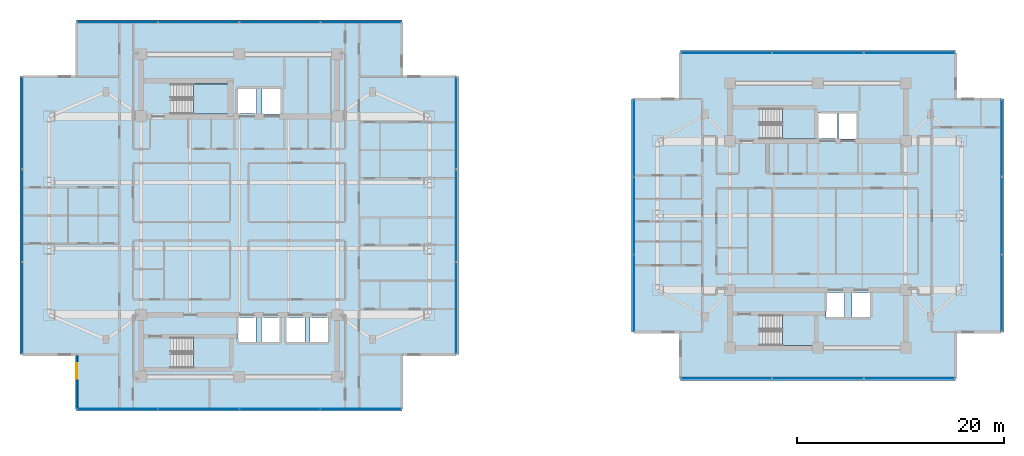
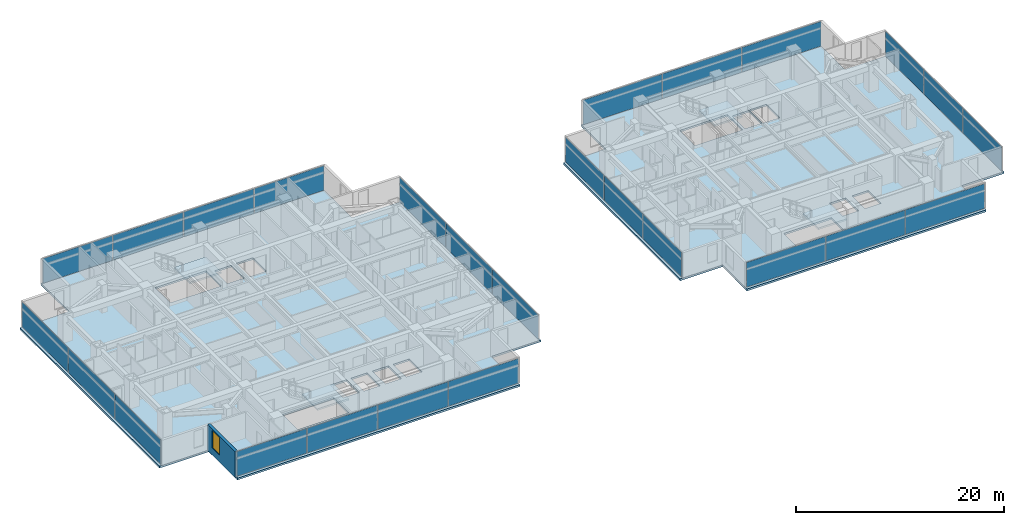
# One storey, part 12 of 25: 26 plates, 6 slabs, 1 wall, 1 window, 1 opening, 12 elements without a shape of their own.
"""IFC4 building model written with IfcOpenShell, lengths in metres."""

from ifc_helpers import new_model, si_unit, direction, frame, frame_2d, origin, origin_2d, place, context, subcontext, project, spatial, polyline, rectangle, outline, extrude, material, layer, layer_set, type_object, element, fill, aggregate, save


model = new_model("IFC4")

# Units and contexts
model_context = context("Model", 3, precision=1e-05, world=origin(), true_north=direction((0.0, 1.0)))
body_context = subcontext(model_context, "Body", "Model", "MODEL_VIEW")
ifc_project = project(units=[si_unit("LENGTHUNIT", "METRE"), si_unit("AREAUNIT", "SQUARE_METRE"), si_unit("VOLUMEUNIT", "CUBIC_METRE"), si_unit("PLANEANGLEUNIT", "RADIAN"), si_unit("MASSUNIT", "GRAM", prefix="KILO")], contexts=[model_context])

# Site, building, storey
site_placement = place(None, origin())
site = spatial("IfcSite", under=ifc_project, at=site_placement, CompositionType="ELEMENT")
building_placement = place(site_placement, origin())
building = spatial("IfcBuilding", under=site, at=building_placement, Name="Mirazonda Arch Towers", CompositionType="ELEMENT")
storey_placement = place(building_placement, frame((0.0, 0.0, 131.300048828125)))
storey = spatial("IfcBuildingStorey", under=building, at=storey_placement, Name="L37", CompositionType="ELEMENT", Elevation=131.300048828125)

# Curtain wall, plates
ifc_material_1 = material(Name="Anodised Aluminium and Low-E Glass", Category="aluminium")
curtain_wall_type = type_object("IfcCurtainWallType", Name="CW-HTL-UNIT", PredefinedType="NOTDEFINED", material=ifc_material_1)
curtain_wall_1_placement = place(storey_placement, origin())
curtain_wall_1 = element("IfcCurtainWall", 1, at=curtain_wall_1_placement, inside=storey, type_object=curtain_wall_type, Name="L37 T1 S Facade CW-L37-T1-S", PredefinedType="NOTDEFINED")
ifc_material_2 = material(Name="Insulated Low-E Solar Glass", Category="glass")
ifc_layer_1 = layer(ifc_material_2, 0.035888671875, Name="PAN-CW-HTL-UNIT")
ifc_layer_set_1 = layer_set([ifc_layer_1], Name="Insulated Low-E Solar Glass")
plate_type = type_object("IfcPlateType", Name="PAN-CW-HTL-UNIT", PredefinedType="CURTAIN_PANEL", material=ifc_layer_set_1)
plate_1_placement = place(storey_placement, frame((32.27880859375, 9.2880859375, 0.0751953125), z_axis=(0.0, 0.0, 1.0), x_axis=(-1.0, 0.0, 0.0)))
plate_1 = element("IfcPlate", 2, at=plate_1_placement, type_object=plate_type, Name="CW-112 panel 1.1", PredefinedType="CURTAIN_PANEL", context=body_context, shape_type="SweptSolid", body=[
    extrude(rectangle(XDim=7.75244140625, YDim=0.035888671875, at=origin_2d()), origin(), (0.0, 0.0, 1.0), 2.909912109375),
])
plate_2_placement = place(storey_placement, frame((24.4326171875, 9.2880859375, 0.0751953125), z_axis=(0.0, 0.0, 1.0), x_axis=(-1.0, 0.0, 0.0)))
plate_2 = element("IfcPlate", 3, at=plate_2_placement, type_object=plate_type, Name="CW-112 panel 2.1", PredefinedType="CURTAIN_PANEL", context=body_context, shape_type="SweptSolid", body=[
    extrude(rectangle(XDim=7.7900390625, YDim=0.035888671875, at=origin_2d()), origin(), (0.0, 0.0, 1.0), 2.909912109375),
])
plate_3_placement = place(storey_placement, frame((16.5673828125, 9.2880859375, 0.0751953125), z_axis=(0.0, 0.0, 1.0), x_axis=(-1.0, 0.0, 0.0)))
plate_3 = element("IfcPlate", 4, at=plate_3_placement, type_object=plate_type, Name="CW-112 panel 3.1", PredefinedType="CURTAIN_PANEL", context=body_context, shape_type="SweptSolid", body=[
    extrude(rectangle(XDim=7.7900390625, YDim=0.035888671875, at=origin_2d()), origin(), (0.0, 0.0, 1.0), 2.909912109375),
])
plate_4_placement = place(storey_placement, frame((8.72119140625, 9.2880859375, 0.0751953125), z_axis=(0.0, 0.0, 1.0), x_axis=(-1.0, 0.0, 0.0)))
plate_4 = element("IfcPlate", 5, at=plate_4_placement, type_object=plate_type, Name="CW-112 panel 4.1", PredefinedType="CURTAIN_PANEL", context=body_context, shape_type="SweptSolid", body=[
    extrude(rectangle(XDim=7.75244140625, YDim=0.035888671875, at=origin_2d()), origin(), (0.0, 0.0, 1.0), 2.909912109375),
])
aggregate(curtain_wall_1, [plate_1, plate_2, plate_3, plate_4])

curtain_wall_2_placement = place(storey_placement, origin())
curtain_wall_2 = element("IfcCurtainWall", 6, at=curtain_wall_2_placement, inside=storey, type_object=curtain_wall_type, Name="L37 T1 E Facade CW-L37-T1-E", PredefinedType="NOTDEFINED")
plate_5_placement = place(storey_placement, frame((41.5, 19.057373046875, 0.0751953125), z_axis=(0.0, 0.0, 1.0), x_axis=(0.0, 1.0, 0.0)))
plate_5 = element("IfcPlate", 7, at=plate_5_placement, type_object=plate_type, Name="CW-112 panel 1.1", PredefinedType="CURTAIN_PANEL", context=body_context, shape_type="SweptSolid", body=[
    extrude(rectangle(XDim=8.848876953125, YDim=0.035888671875, at=origin_2d()), origin(), (0.0, 0.0, 1.0), 2.909912109375),
])
plate_6_placement = place(storey_placement, frame((41.5, 28.0, 0.0751953125), z_axis=(0.0, 0.0, 1.0), x_axis=(0.0, 1.0, 0.0)))
plate_6 = element("IfcPlate", 8, at=plate_6_placement, type_object=plate_type, Name="CW-112 panel 2.1", PredefinedType="CURTAIN_PANEL", context=body_context, shape_type="SweptSolid", body=[
    extrude(rectangle(XDim=8.88623046875, YDim=0.035888671875, at=origin_2d()), origin(), (0.0, 0.0, 1.0), 2.909912109375),
])
plate_7_placement = place(storey_placement, frame((41.5, 36.942626953125, 0.0751953125), z_axis=(0.0, 0.0, 1.0), x_axis=(0.0, 1.0, 0.0)))
plate_7 = element("IfcPlate", 9, at=plate_7_placement, type_object=plate_type, Name="CW-112 panel 3.1", PredefinedType="CURTAIN_PANEL", context=body_context, shape_type="SweptSolid", body=[
    extrude(rectangle(XDim=8.848876953125, YDim=0.035888671875, at=origin_2d()), origin(), (0.0, 0.0, 1.0), 2.909912109375),
])
aggregate(curtain_wall_2, [plate_5, plate_6, plate_7])

curtain_wall_3_placement = place(storey_placement, origin())
curtain_wall_3 = element("IfcCurtainWall", 10, at=curtain_wall_3_placement, inside=storey, type_object=curtain_wall_type, Name="L37 T1 N Facade CW-L37-T1-N", PredefinedType="NOTDEFINED")
plate_8_placement = place(storey_placement, frame((8.72119140625, 46.7119140625, 0.0751953125), z_axis=(0.0, 0.0, 1.0), x_axis=(1.0, 0.0, 0.0)))
plate_8 = element("IfcPlate", 11, at=plate_8_placement, type_object=plate_type, Name="CW-112 panel 1.1", PredefinedType="CURTAIN_PANEL", context=body_context, shape_type="SweptSolid", body=[
    extrude(rectangle(XDim=7.75244140625, YDim=0.035888671875, at=origin_2d()), origin(), (0.0, 0.0, 1.0), 2.909912109375),
])
plate_9_placement = place(storey_placement, frame((16.5673828125, 46.7119140625, 0.0751953125), z_axis=(0.0, 0.0, 1.0), x_axis=(1.0, 0.0, 0.0)))
plate_9 = element("IfcPlate", 12, at=plate_9_placement, type_object=plate_type, Name="CW-112 panel 2.1", PredefinedType="CURTAIN_PANEL", context=body_context, shape_type="SweptSolid", body=[
    extrude(rectangle(XDim=7.7900390625, YDim=0.035888671875, at=origin_2d()), origin(), (0.0, 0.0, 1.0), 2.909912109375),
])
plate_10_placement = place(storey_placement, frame((24.4326171875, 46.7119140625, 0.0751953125), z_axis=(0.0, 0.0, 1.0), x_axis=(1.0, 0.0, 0.0)))
plate_10 = element("IfcPlate", 13, at=plate_10_placement, type_object=plate_type, Name="CW-112 panel 3.1", PredefinedType="CURTAIN_PANEL", context=body_context, shape_type="SweptSolid", body=[
    extrude(rectangle(XDim=7.7900390625, YDim=0.035888671875, at=origin_2d()), origin(), (0.0, 0.0, 1.0), 2.909912109375),
])
plate_11_placement = place(storey_placement, frame((32.27880859375, 46.7119140625, 0.0751953125), z_axis=(0.0, 0.0, 1.0), x_axis=(1.0, 0.0, 0.0)))
plate_11 = element("IfcPlate", 14, at=plate_11_placement, type_object=plate_type, Name="CW-112 panel 4.1", PredefinedType="CURTAIN_PANEL", context=body_context, shape_type="SweptSolid", body=[
    extrude(rectangle(XDim=7.75244140625, YDim=0.035888671875, at=origin_2d()), origin(), (0.0, 0.0, 1.0), 2.909912109375),
])
aggregate(curtain_wall_3, [plate_8, plate_9, plate_10, plate_11])

curtain_wall_4_placement = place(storey_placement, origin())
curtain_wall_4 = element("IfcCurtainWall", 15, at=curtain_wall_4_placement, inside=storey, type_object=curtain_wall_type, Name="L37 T1 W Facade CW-L37-T1-W", PredefinedType="NOTDEFINED")
plate_12_placement = place(storey_placement, frame((-0.5, 36.942626953125, 0.0751953125), z_axis=(0.0, 0.0, 1.0), x_axis=(0.0, -1.0, 0.0)))
plate_12 = element("IfcPlate", 16, at=plate_12_placement, type_object=plate_type, Name="CW-112 panel 1.1", PredefinedType="CURTAIN_PANEL", context=body_context, shape_type="SweptSolid", body=[
    extrude(rectangle(XDim=8.848876953125, YDim=0.035888671875, at=origin_2d()), origin(), (0.0, 0.0, 1.0), 2.909912109375),
])
plate_13_placement = place(storey_placement, frame((-0.5, 28.0, 0.0751953125), z_axis=(0.0, 0.0, 1.0), x_axis=(0.0, -1.0, 0.0)))
plate_13 = element("IfcPlate", 17, at=plate_13_placement, type_object=plate_type, Name="CW-112 panel 2.1", PredefinedType="CURTAIN_PANEL", context=body_context, shape_type="SweptSolid", body=[
    extrude(rectangle(XDim=8.88623046875, YDim=0.035888671875, at=origin_2d()), origin(), (0.0, 0.0, 1.0), 2.909912109375),
])
plate_14_placement = place(storey_placement, frame((-0.5, 19.057373046875, 0.0751953125), z_axis=(0.0, 0.0, 1.0), x_axis=(0.0, -1.0, 0.0)))
plate_14 = element("IfcPlate", 18, at=plate_14_placement, type_object=plate_type, Name="CW-112 panel 3.1", PredefinedType="CURTAIN_PANEL", context=body_context, shape_type="SweptSolid", body=[
    extrude(rectangle(XDim=8.848876953125, YDim=0.035888671875, at=origin_2d()), origin(), (0.0, 0.0, 1.0), 2.909912109375),
])
aggregate(curtain_wall_4, [plate_12, plate_13, plate_14])

curtain_wall_5_placement = place(storey_placement, origin())
curtain_wall_5 = element("IfcCurtainWall", 19, at=curtain_wall_5_placement, inside=storey, type_object=curtain_wall_type, Name="L37 T2 S Facade CW-L37-T2-S", PredefinedType="NOTDEFINED")
plate_15_placement = place(storey_placement, frame((85.35498046875, 12.247802734375, 0.0751953125), z_axis=(0.0, 0.0, 1.0), x_axis=(-1.0, 0.0, 0.0)))
plate_15 = element("IfcPlate", 20, at=plate_15_placement, type_object=plate_type, Name="CW-112 panel 1.1", PredefinedType="CURTAIN_PANEL", context=body_context, shape_type="SweptSolid", body=[
    extrude(rectangle(XDim=8.76123046875, YDim=0.035888671875, at=origin_2d()), origin(), (0.0, 0.0, 1.0), 2.909912109375),
])
plate_16_placement = place(storey_placement, frame((76.5, 12.247802734375, 0.0751953125), z_axis=(0.0, 0.0, 1.0), x_axis=(-1.0, 0.0, 0.0)))
plate_16 = element("IfcPlate", 21, at=plate_16_placement, type_object=plate_type, Name="CW-112 panel 2.1", PredefinedType="CURTAIN_PANEL", context=body_context, shape_type="SweptSolid", body=[
    extrude(rectangle(XDim=8.798583984375, YDim=0.035888671875, at=origin_2d()), origin(), (0.0, 0.0, 1.0), 2.909912109375),
])
plate_17_placement = place(storey_placement, frame((67.64501953125, 12.247802734375, 0.0751953125), z_axis=(0.0, 0.0, 1.0), x_axis=(-1.0, 0.0, 0.0)))
plate_17 = element("IfcPlate", 22, at=plate_17_placement, type_object=plate_type, Name="CW-112 panel 3.1", PredefinedType="CURTAIN_PANEL", context=body_context, shape_type="SweptSolid", body=[
    extrude(rectangle(XDim=8.76123046875, YDim=0.035888671875, at=origin_2d()), origin(), (0.0, 0.0, 1.0), 2.909912109375),
])
aggregate(curtain_wall_5, [plate_15, plate_16, plate_17])

curtain_wall_6_placement = place(storey_placement, origin())
curtain_wall_6 = element("IfcCurtainWall", 23, at=curtain_wall_6_placement, inside=storey, type_object=curtain_wall_type, Name="L37 T2 E Facade CW-L37-T2-E", PredefinedType="NOTDEFINED")
plate_18_placement = place(storey_placement, frame((94.297119140625, 20.50830078125, 0.0751953125), z_axis=(0.0, 0.0, 1.0), x_axis=(0.0, 1.0, 0.0)))
plate_18 = element("IfcPlate", 24, at=plate_18_placement, type_object=plate_type, Name="CW-112 panel 1.1", PredefinedType="CURTAIN_PANEL", context=body_context, shape_type="SweptSolid", body=[
    extrude(rectangle(XDim=7.39794921875, YDim=0.035888671875, at=origin_2d()), origin(), (0.0, 0.0, 1.0), 2.909912109375),
])
plate_19_placement = place(storey_placement, frame((94.297119140625, 28.0, 0.0751953125), z_axis=(0.0, 0.0, 1.0), x_axis=(0.0, 1.0, 0.0)))
plate_19 = element("IfcPlate", 25, at=plate_19_placement, type_object=plate_type, Name="CW-112 panel 2.1", PredefinedType="CURTAIN_PANEL", context=body_context, shape_type="SweptSolid", body=[
    extrude(rectangle(XDim=7.435546875, YDim=0.035888671875, at=origin_2d()), origin(), (0.0, 0.0, 1.0), 2.909912109375),
])
plate_20_placement = place(storey_placement, frame((94.297119140625, 35.49169921875, 0.0751953125), z_axis=(0.0, 0.0, 1.0), x_axis=(0.0, 1.0, 0.0)))
plate_20 = element("IfcPlate", 26, at=plate_20_placement, type_object=plate_type, Name="CW-112 panel 3.1", PredefinedType="CURTAIN_PANEL", context=body_context, shape_type="SweptSolid", body=[
    extrude(rectangle(XDim=7.39794921875, YDim=0.035888671875, at=origin_2d()), origin(), (0.0, 0.0, 1.0), 2.909912109375),
])
aggregate(curtain_wall_6, [plate_18, plate_19, plate_20])

curtain_wall_7_placement = place(storey_placement, origin())
curtain_wall_7 = element("IfcCurtainWall", 27, at=curtain_wall_7_placement, inside=storey, type_object=curtain_wall_type, Name="L37 T2 N Facade CW-L37-T2-N", PredefinedType="NOTDEFINED")
plate_21_placement = place(storey_placement, frame((67.64501953125, 43.752197265625, 0.0751953125), z_axis=(0.0, 0.0, 1.0), x_axis=(1.0, 0.0, 0.0)))
plate_21 = element("IfcPlate", 28, at=plate_21_placement, type_object=plate_type, Name="CW-112 panel 1.1", PredefinedType="CURTAIN_PANEL", context=body_context, shape_type="SweptSolid", body=[
    extrude(rectangle(XDim=8.76123046875, YDim=0.035888671875, at=origin_2d()), origin(), (0.0, 0.0, 1.0), 2.909912109375),
])
plate_22_placement = place(storey_placement, frame((76.5, 43.752197265625, 0.0751953125), z_axis=(0.0, 0.0, 1.0), x_axis=(1.0, 0.0, 0.0)))
plate_22 = element("IfcPlate", 29, at=plate_22_placement, type_object=plate_type, Name="CW-112 panel 2.1", PredefinedType="CURTAIN_PANEL", context=body_context, shape_type="SweptSolid", body=[
    extrude(rectangle(XDim=8.798583984375, YDim=0.035888671875, at=origin_2d()), origin(), (0.0, 0.0, 1.0), 2.909912109375),
])
plate_23_placement = place(storey_placement, frame((85.35498046875, 43.752197265625, 0.0751953125), z_axis=(0.0, 0.0, 1.0), x_axis=(1.0, 0.0, 0.0)))
plate_23 = element("IfcPlate", 30, at=plate_23_placement, type_object=plate_type, Name="CW-112 panel 3.1", PredefinedType="CURTAIN_PANEL", context=body_context, shape_type="SweptSolid", body=[
    extrude(rectangle(XDim=8.76123046875, YDim=0.035888671875, at=origin_2d()), origin(), (0.0, 0.0, 1.0), 2.909912109375),
])
aggregate(curtain_wall_7, [plate_21, plate_22, plate_23])

curtain_wall_8_placement = place(storey_placement, origin())
curtain_wall_8 = element("IfcCurtainWall", 31, at=curtain_wall_8_placement, inside=storey, type_object=curtain_wall_type, Name="L37 T2 W Facade CW-L37-T2-W", PredefinedType="NOTDEFINED")
plate_24_placement = place(storey_placement, frame((58.702880859375, 35.49169921875, 0.0751953125), z_axis=(0.0, 0.0, 1.0), x_axis=(0.0, -1.0, 0.0)))
plate_24 = element("IfcPlate", 32, at=plate_24_placement, type_object=plate_type, Name="CW-112 panel 1.1", PredefinedType="CURTAIN_PANEL", context=body_context, shape_type="SweptSolid", body=[
    extrude(rectangle(XDim=7.39794921875, YDim=0.035888671875, at=origin_2d()), origin(), (0.0, 0.0, 1.0), 2.909912109375),
])
plate_25_placement = place(storey_placement, frame((58.702880859375, 28.0, 0.0751953125), z_axis=(0.0, 0.0, 1.0), x_axis=(0.0, -1.0, 0.0)))
plate_25 = element("IfcPlate", 33, at=plate_25_placement, type_object=plate_type, Name="CW-112 panel 2.1", PredefinedType="CURTAIN_PANEL", context=body_context, shape_type="SweptSolid", body=[
    extrude(rectangle(XDim=7.435546875, YDim=0.035888671875, at=origin_2d()), origin(), (0.0, 0.0, 1.0), 2.909912109375),
])
plate_26_placement = place(storey_placement, frame((58.702880859375, 20.50830078125, 0.0751953125), z_axis=(0.0, 0.0, 1.0), x_axis=(0.0, -1.0, 0.0)))
plate_26 = element("IfcPlate", 34, at=plate_26_placement, type_object=plate_type, Name="CW-112 panel 3.1", PredefinedType="CURTAIN_PANEL", context=body_context, shape_type="SweptSolid", body=[
    extrude(rectangle(XDim=7.39794921875, YDim=0.035888671875, at=origin_2d()), origin(), (0.0, 0.0, 1.0), 2.909912109375),
])
aggregate(curtain_wall_8, [plate_24, plate_25, plate_26])

# Stair, slab
ifc_material_3 = material(Name="Concrete C40/50", Category="concrete")
stair_type = type_object("IfcStairType", Name="STAIR-CORE-1400", PredefinedType="HALF_TURN_STAIR", material=ifc_material_3)
stair_1_placement = place(storey_placement, origin())
stair_1 = element("IfcStair", 35, at=stair_1_placement, inside=storey, type_object=stair_type, Name="L37 Protected Exit Stair ST-T1N", PredefinedType="HALF_TURN_STAIR")
ifc_layer_2 = layer(ifc_material_3, 0.18994140625, Name="SLAB-LANDING-190")
ifc_layer_set_2 = layer_set([ifc_layer_2], Name="Concrete C40/50")
slab_type_1 = type_object("IfcSlabType", Name="SLAB-LANDING-190", PredefinedType="LANDING", material=ifc_layer_set_2)
slab_1_placement = place(storey_placement, frame((0.0, 0.0, 1.449951171875)))
slab_1 = element("IfcSlab", 36, at=slab_1_placement, type_object=slab_type_1, Name="ST-T1N landing 1", PredefinedType="LANDING", context=body_context, shape_type="SweptSolid", body=[
    extrude(outline(polyline([(16.090087890625, 37.820068359375), (19.60009765625, 37.820068359375), (19.60009765625, 40.760009765625), (16.090087890625, 40.760009765625), (16.090087890625, 37.820068359375)])), origin(), (0.0, 0.0, 1.0), 0.199951171875),
])
aggregate(stair_1, [slab_1])

stair_2_placement = place(storey_placement, origin())
stair_2 = element("IfcStair", 37, at=stair_2_placement, inside=storey, type_object=stair_type, Name="L37 Protected Exit Stair ST-T1S", PredefinedType="HALF_TURN_STAIR")
slab_2_placement = place(storey_placement, frame((0.0, 0.0, 1.449951171875)))
slab_2 = element("IfcSlab", 38, at=slab_2_placement, type_object=slab_type_1, Name="ST-T1S landing 1", PredefinedType="LANDING", context=body_context, shape_type="SweptSolid", body=[
    extrude(outline(polyline([(16.090087890625, 13.25), (19.60009765625, 13.25), (19.60009765625, 16.18994140625), (16.090087890625, 16.18994140625), (16.090087890625, 13.25)])), origin(), (0.0, 0.0, 1.0), 0.199951171875),
])
aggregate(stair_2, [slab_2])

stair_3_placement = place(storey_placement, origin())
stair_3 = element("IfcStair", 39, at=stair_3_placement, inside=storey, type_object=stair_type, Name="L37 Protected Exit Stair ST-T2N", PredefinedType="HALF_TURN_STAIR")
slab_3_placement = place(storey_placement, frame((0.0, 0.0, 1.449951171875)))
slab_3 = element("IfcSlab", 40, at=slab_3_placement, type_object=slab_type_1, Name="ST-T2N landing 1", PredefinedType="LANDING", context=body_context, shape_type="SweptSolid", body=[
    extrude(outline(polyline([(73.090087890625, 35.419921875), (76.22998046875, 35.419921875), (76.22998046875, 38.360107421875), (73.090087890625, 38.360107421875), (73.090087890625, 35.419921875)])), origin(), (0.0, 0.0, 1.0), 0.199951171875),
])
aggregate(stair_3, [slab_3])

stair_4_placement = place(storey_placement, origin())
stair_4 = element("IfcStair", 41, at=stair_4_placement, inside=storey, type_object=stair_type, Name="L37 Protected Exit Stair ST-T2S", PredefinedType="HALF_TURN_STAIR")
slab_4_placement = place(storey_placement, frame((0.0, 0.0, 1.449951171875)))
slab_4 = element("IfcSlab", 42, at=slab_4_placement, type_object=slab_type_1, Name="ST-T2S landing 1", PredefinedType="LANDING", context=body_context, shape_type="SweptSolid", body=[
    extrude(outline(polyline([(73.090087890625, 15.419921875), (76.22998046875, 15.419921875), (76.22998046875, 18.360107421875), (73.090087890625, 18.360107421875), (73.090087890625, 15.419921875)])), origin(), (0.0, 0.0, 1.0), 0.199951171875),
])
aggregate(stair_4, [slab_4])

# Slabs
ifc_layer_3 = layer(ifc_material_3, 0.219970703125, Name="SLAB-TWR-220")
ifc_layer_set_3 = layer_set([ifc_layer_3], Name="Concrete C40/50")
slab_type_2 = type_object("IfcSlabType", Name="SLAB-TWR-220", PredefinedType="FLOOR", material=ifc_layer_set_3)
slab_5_placement = place(storey_placement, frame((0.0, 0.0, -0.219970703125)))
element("IfcSlab", 43, at=slab_5_placement, inside=storey, type_object=slab_type_2, Name="L37 Tower 1 Floor Slab", PredefinedType="FLOOR", context=body_context, shape_type="SweptSolid", body=[
    extrude(outline(polyline([(4.77001953125, 9.068115234375), (36.22998046875, 9.068115234375), (36.22998046875, 14.55810546875), (41.719970703125, 14.55810546875), (41.719970703125, 41.44189453125), (36.22998046875, 41.44189453125), (36.22998046875, 46.931884765625), (4.77001953125, 46.931884765625), (4.77001953125, 41.44189453125), (-0.719970703125, 41.44189453125), (-0.719970703125, 14.55810546875), (4.77001953125, 14.55810546875), (4.77001953125, 9.068115234375)]), holes=[polyline([(27.360107421875, 18.139892578125), (29.139892578125, 18.139892578125), (29.139892578125, 15.659912109375), (27.360107421875, 15.659912109375), (27.360107421875, 18.139892578125)]), polyline([(25.06005859375, 18.139892578125), (26.840087890625, 18.139892578125), (26.840087890625, 15.659912109375), (25.06005859375, 15.659912109375), (25.06005859375, 18.139892578125)]), polyline([(22.7099609375, 40.389892578125), (24.590087890625, 40.389892578125), (24.590087890625, 37.81005859375), (22.7099609375, 37.81005859375), (22.7099609375, 40.389892578125)]), polyline([(22.659912109375, 18.139892578125), (24.43994140625, 18.139892578125), (24.43994140625, 15.659912109375), (22.659912109375, 15.659912109375), (22.659912109375, 18.139892578125)]), polyline([(20.31005859375, 40.340087890625), (22.18994140625, 40.340087890625), (22.18994140625, 37.860107421875), (20.31005859375, 37.860107421875), (20.31005859375, 40.340087890625)]), polyline([(20.360107421875, 18.139892578125), (22.139892578125, 18.139892578125), (22.139892578125, 15.659912109375), (20.360107421875, 15.659912109375), (20.360107421875, 18.139892578125)]), polyline([(13.925048828125, 13.25), (13.925048828125, 16.18994140625), (19.60009765625, 16.18994140625), (19.60009765625, 13.25), (13.925048828125, 13.25)]), polyline([(13.925048828125, 37.820068359375), (13.925048828125, 40.760009765625), (19.60009765625, 40.760009765625), (19.60009765625, 37.820068359375), (13.925048828125, 37.820068359375)])]), origin(), (0.0, 0.0, 1.0), 0.219970703125),
])
slab_6_placement = place(storey_placement, frame((0.0, 0.0, -0.219970703125)))
element("IfcSlab", 44, at=slab_6_placement, inside=storey, type_object=slab_type_2, Name="L37 Tower 2 Floor Slab", PredefinedType="FLOOR", context=body_context, shape_type="SweptSolid", body=[
    extrude(outline(polyline([(63.189453125, 12.02783203125), (89.810546875, 12.02783203125), (89.810546875, 16.734375), (94.51708984375, 16.734375), (94.51708984375, 39.265625), (89.810546875, 39.265625), (89.810546875, 43.97216796875), (63.189453125, 43.97216796875), (63.189453125, 39.265625), (58.48291015625, 39.265625), (58.48291015625, 16.734375), (63.189453125, 16.734375), (63.189453125, 12.02783203125)]), holes=[polyline([(79.81005859375, 20.5400390625), (81.590087890625, 20.5400390625), (81.590087890625, 18.06005859375), (79.81005859375, 18.06005859375), (79.81005859375, 20.5400390625)]), polyline([(78.47998046875, 37.989990234375), (80.360107421875, 37.989990234375), (80.360107421875, 35.409912109375), (78.47998046875, 35.409912109375), (78.47998046875, 37.989990234375)]), polyline([(77.31005859375, 20.5400390625), (79.090087890625, 20.5400390625), (79.090087890625, 18.06005859375), (77.31005859375, 18.06005859375), (77.31005859375, 20.5400390625)]), polyline([(76.510009765625, 35.4599609375), (76.510009765625, 37.93994140625), (78.389892578125, 37.93994140625), (78.389892578125, 35.4599609375), (76.510009765625, 35.4599609375)]), polyline([(76.22998046875, 15.419921875), (70.925048828125, 15.419921875), (70.925048828125, 18.360107421875), (76.22998046875, 18.360107421875), (76.22998046875, 15.419921875)]), polyline([(70.925048828125, 35.419921875), (70.925048828125, 38.360107421875), (76.22998046875, 38.360107421875), (76.22998046875, 35.419921875), (70.925048828125, 35.419921875)])]), origin(), (0.0, 0.0, 1.0), 0.219970703125),
])

# Wall, opening, window
ifc_material_4 = material(Name="Precast Concrete C40/50", Category="concrete")
ifc_layer_4 = layer(ifc_material_4, 0.280029296875, Name="WALL-EXT-WALL-280")
ifc_layer_set_4 = layer_set([ifc_layer_4], Name="Precast Concrete C40/50")
wall_type = type_object("IfcWallType", Name="WALL-EXT-WALL-280", PredefinedType="SOLIDWALL", material=ifc_layer_set_4)
wall_placement = place(storey_placement, frame((4.77001953125, 14.55810546875, 0.0), z_axis=(0.0, 0.0, 1.0), x_axis=(0.0, -1.0, 0.0)))
wall = element("IfcWall", 45, at=wall_placement, inside=storey, type_object=wall_type, Name="L37 T1 Notched SW Corner Wall WL-L37-T1-CSW", PredefinedType="SOLIDWALL", context=body_context, shape_type="SweptSolid", body=[
    extrude(rectangle(XDim=5.27001953125, YDim=0.280029296875, at=frame_2d((2.635009765625, 0.0))), origin(), (0.0, 0.0, 1.0), 3.06005859375),
])
opening_placement = place(wall_placement, frame((0.85009765625, 0.0, 0.81005859375)))
opening = element("IfcOpeningElement", 46, at=opening_placement, cuts=wall, Name="Opening WN-120", PredefinedType="OPENING", context=body_context, shape_type="SweptSolid", body=[
    extrude(rectangle(XDim=1.5, YDim=2.10009765625, at=frame_2d((0.75, 1.050048828125))), frame((0.0, 0.14990234375, 0.0), z_axis=(0.0, -1.0, 0.0), x_axis=(1.0, 0.0, 0.0)), (0.0, 0.0, 1.0), 0.300048828125),
])
window_type = type_object("IfcWindowType", Name="WIN-HTL-1500x2100", PartitioningType="SINGLE_PANEL", PredefinedType="WINDOW", material=ifc_material_2)
window_placement = place(opening_placement, origin())
window = element("IfcWindow", 47, at=window_placement, inside=storey, type_object=window_type, Name="L37 Punched Facade Window WN-L37-T1-CSW", OverallHeight=2.10009765625, OverallWidth=1.5, PartitioningType="SINGLE_PANEL", PredefinedType="WINDOW", context=body_context, shape_type="SweptSolid", body=[
    extrude(rectangle(XDim=1.5, YDim=2.10009765625, at=frame_2d((0.75, 1.050048828125))), frame((0.0, 0.030029296875, 0.0), z_axis=(0.0, -1.0, 0.0), x_axis=(1.0, 0.0, 0.0)), (0.0, 0.0, 1.0), 0.06005859375),
])
fill(opening, window)

save(model, "model.ifc")
